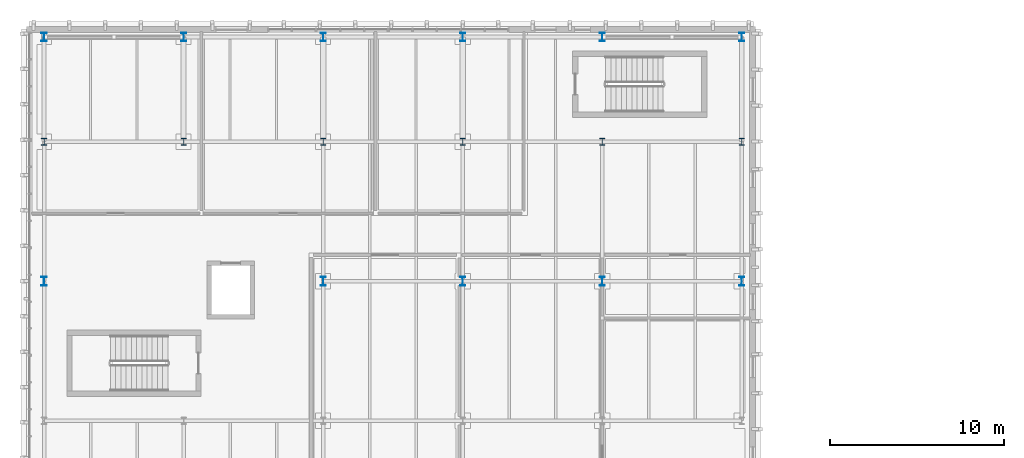
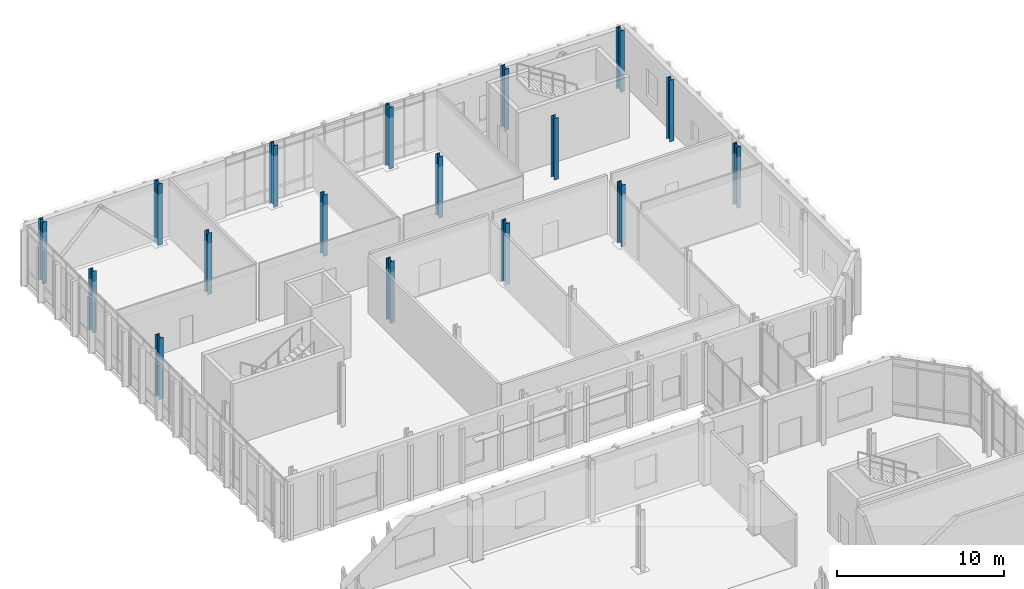
# One storey, part 10 of 100: 17 columns.
"""IFC4 building model written with IfcOpenShell, lengths in metres."""

from ifc_helpers import new_model, si_unit, direction, frame, origin, origin_2d, place, context, subcontext, project, spatial, i_section, extrude, material, material_profile, profile_set, type_object, element, save


model = new_model("IFC4")

# Units and contexts
model_context = context("Model", 3, precision=1e-05, world=origin(), true_north=direction((0.0, 1.0)))
body_context = subcontext(model_context, "Body", "Model", "MODEL_VIEW")
ifc_project = project(units=[si_unit("LENGTHUNIT", "METRE"), si_unit("AREAUNIT", "SQUARE_METRE"), si_unit("VOLUMEUNIT", "CUBIC_METRE"), si_unit("PLANEANGLEUNIT", "RADIAN"), si_unit("MASSUNIT", "GRAM", prefix="KILO")], contexts=[model_context])

# Site, building, storey
site_placement = place(None, origin())
site = spatial("IfcSite", under=ifc_project, at=site_placement, CompositionType="ELEMENT")
building_placement = place(site_placement, origin())
building = spatial("IfcBuilding", under=site, at=building_placement, Name="Cymarion Research Institute", CompositionType="ELEMENT")
storey_placement = place(building_placement, frame((0.0, 0.0, 4.800048828125)))
storey = spatial("IfcBuildingStorey", under=building, at=storey_placement, Name="L01", CompositionType="ELEMENT", Elevation=4.800048828125)

# Columns
ifc_material = material(Name="Steel S355", Category="steel")
ifc_material_profile_1 = material_profile(ifc_material, i_section(OverallWidth=0.300048828125, OverallDepth=0.5, WebThickness=0.014404296875, FlangeThickness=0.028076171875, FilletRadius=0.027099609375, at=origin_2d()), Name="HEB 500")
ifc_profile_set_1 = profile_set([ifc_material_profile_1], Name="Steel S355")
column_type_1 = type_object("IfcColumnType", Name="STRUCTURAL COLUMN C04 HEB 500", PredefinedType="COLUMN", material=ifc_profile_set_1)
for number, where, z_axis, x_axis, name in (
    (1, (6.60009765625, 101.5, 0.0), (0.0, 0.0, 1.0), (1.0, 0.0, 0.0), "L01 V5 column C04 #460"),
    (2, (6.60009765625, 115.5, 0.0), (0.0, 0.0, 1.0), (1.0, 0.0, 0.0), "L01 V5 column C04 #462"),
    (3, (14.60009765625, 115.5, 0.0), (0.0, 0.0, 1.0), (1.0, 0.0, 0.0), "L01 V5 column C04 #477"),
    (4, (22.60009765625, 101.5, 0.0), (0.0, 0.0, 1.0), (1.0, 0.0, 0.0), "L01 V5 column C04 #491"),
    (5, (22.60009765625, 115.5, 0.0), (0.0, 0.0, 1.0), (1.0, 0.0, 0.0), "L01 V5 column C04 #493"),
    (6, (30.60009765625, 101.5, 0.0), (0.0, 0.0, 1.0), (1.0, 0.0, 0.0), "L01 V5 column C04 #507"),
    (7, (30.60009765625, 115.5, 0.0), (0.0, 0.0, 1.0), (1.0, 0.0, 0.0), "L01 V5 column C04 #509"),
    (8, (38.60009765625, 101.5, 0.0), (0.0, 0.0, 1.0), (1.0, 0.0, 0.0), "L01 V5 column C04 #529"),
    (9, (38.60009765625, 115.5, 0.0), (0.0, 0.0, 1.0), (1.0, 0.0, 0.0), "L01 V5 column C04 #531"),
    (10, (46.60009765625, 101.5, 0.0), (0.0, 0.0, 1.0), (1.0, 0.0, 0.0), "L01 V5 column C04 #546"),
    (11, (46.60009765625, 115.5, 0.0), (0.0, 0.0, 1.0), (1.0, 0.0, 0.0), "L01 V5 column C04 #548"),
):
    element("IfcColumn", number, at=place(storey_placement, frame(where, z_axis=z_axis, x_axis=x_axis)), inside=storey, type_object=column_type_1, Name=name, PredefinedType="COLUMN", context=body_context, shape_type="SweptSolid", body=[
        extrude(i_section(OverallWidth=0.300048828125, OverallDepth=0.5, WebThickness=0.014404296875, FlangeThickness=0.028076171875, FilletRadius=0.027099609375, at=origin_2d()), origin(), (0.0, 0.0, 1.0), 4.5),
    ])
ifc_material_profile_2 = material_profile(ifc_material, i_section(OverallWidth=0.300048828125, OverallDepth=0.389892578125, WebThickness=0.010986328125, FlangeThickness=0.01904296875, FilletRadius=0.027099609375, at=origin_2d()), Name="HEA 400")
ifc_profile_set_2 = profile_set([ifc_material_profile_2], Name="Steel S355")
column_type_2 = type_object("IfcColumnType", Name="STRUCTURAL COLUMN C11 HEA 400", PredefinedType="COLUMN", material=ifc_profile_set_2)
for number, where, z_axis, x_axis, name in (
    (12, (6.60009765625, 109.5, 0.0), (0.0, 0.0, 1.0), (1.0, 0.0, 0.0), "L01 V5 column C11 #461"),
    (13, (14.60009765625, 109.5, 0.0), (0.0, 0.0, 1.0), (1.0, 0.0, 0.0), "L01 V5 column C11 #476"),
    (14, (22.60009765625, 109.5, 0.0), (0.0, 0.0, 1.0), (1.0, 0.0, 0.0), "L01 V5 column C11 #492"),
    (15, (30.60009765625, 109.5, 0.0), (0.0, 0.0, 1.0), (1.0, 0.0, 0.0), "L01 V5 column C11 #508"),
    (16, (38.60009765625, 109.5, 0.0), (0.0, 0.0, 1.0), (1.0, 0.0, 0.0), "L01 V5 column C11 #530"),
    (17, (46.60009765625, 109.5, 0.0), (0.0, 0.0, 1.0), (1.0, 0.0, 0.0), "L01 V5 column C11 #547"),
):
    element("IfcColumn", number, at=place(storey_placement, frame(where, z_axis=z_axis, x_axis=x_axis)), inside=storey, type_object=column_type_2, Name=name, PredefinedType="COLUMN", context=body_context, shape_type="SweptSolid", body=[
        extrude(i_section(OverallWidth=0.300048828125, OverallDepth=0.389892578125, WebThickness=0.010986328125, FlangeThickness=0.01904296875, FilletRadius=0.027099609375, at=origin_2d()), origin(), (0.0, 0.0, 1.0), 4.5),
    ])

save(model, "model.ifc")
